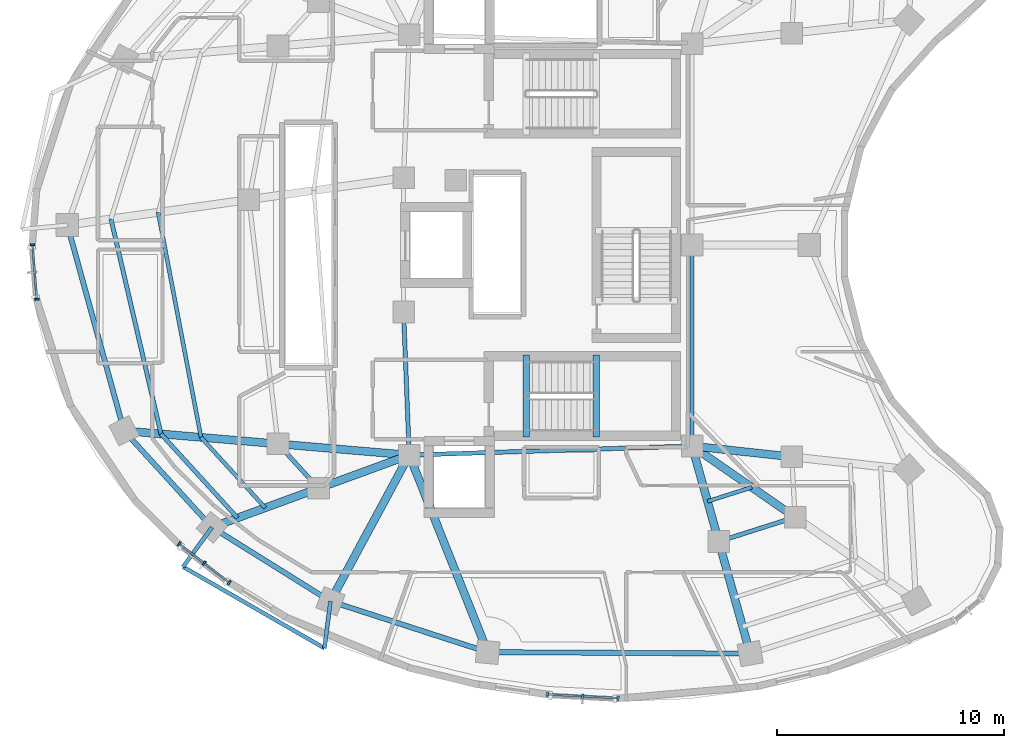
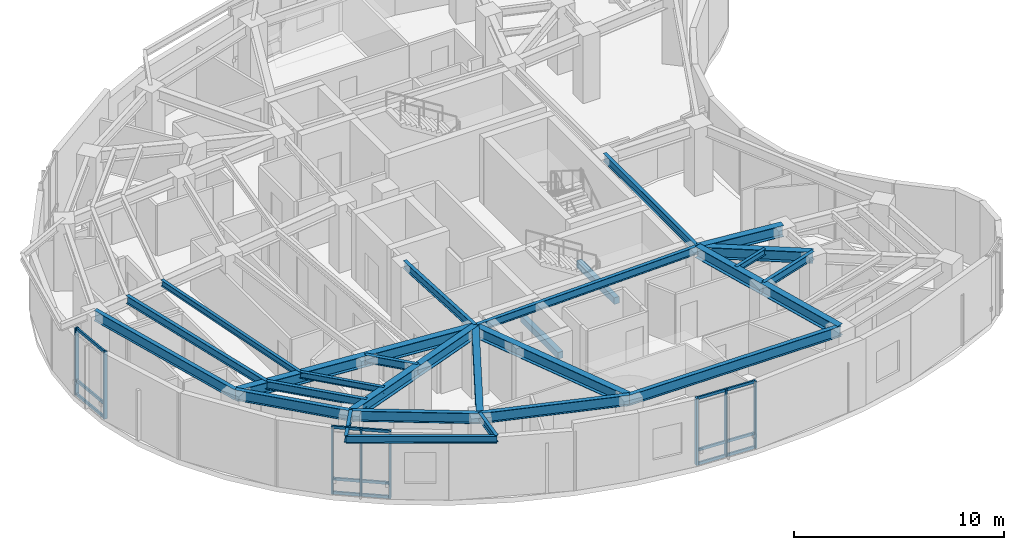
# One storey, part 2 of 13: 30 beams, 23 members, 3 elements without a shape of their own.
"""IFC4 building model written with IfcOpenShell, lengths in metres."""

from ifc_helpers import new_model, si_unit, direction, frame, origin, origin_2d, place, context, subcontext, project, spatial, rectangle, i_section, extrude, material, layer, layer_set, material_profile, profile_set, type_object, element, aggregate, save


model = new_model("IFC4")

# Units and contexts
model_context = context("Model", 3, precision=1e-05, world=origin(), true_north=direction((0.0, 1.0)))
body_context = subcontext(model_context, "Body", "Model", "MODEL_VIEW")
ifc_project = project(units=[si_unit("LENGTHUNIT", "METRE"), si_unit("AREAUNIT", "SQUARE_METRE"), si_unit("VOLUMEUNIT", "CUBIC_METRE"), si_unit("PLANEANGLEUNIT", "RADIAN"), si_unit("MASSUNIT", "GRAM", prefix="KILO")], contexts=[model_context])

# Site, building, storey
site_placement = place(None, origin())
site = spatial("IfcSite", under=ifc_project, at=site_placement, CompositionType="ELEMENT")
building_placement = place(site_placement, origin())
building = spatial("IfcBuilding", under=site, at=building_placement, Name="Korentha Bioscience Tower", CompositionType="ELEMENT")
storey_placement = place(building_placement, frame((0.0, 0.0, 200.39990234375)))
storey = spatial("IfcBuildingStorey", under=building, at=storey_placement, Name="L46", CompositionType="ELEMENT", Elevation=200.39990234375)

# Beams
ifc_material_1 = material(Name="Concrete C50", Category="concrete")
ifc_material_profile_1 = material_profile(ifc_material_1, rectangle(XDim=0.280029296875, YDim=0.3798828125, at=origin_2d()), Name="Concrete C50")
ifc_profile_set_1 = profile_set([ifc_material_profile_1], Name="Concrete C50 (ST-HB380)")
beam_type_1 = type_object("IfcBeamType", Name="Concrete Stair Header Beam RC 280x380", PredefinedType="BEAM", material=ifc_profile_set_1)
for number, where, z_axis, x_axis, name in (
    (1, (30.25, 18.550048828125, -0.18994140625), (0.0, 1.0, 0.0), (-1.0, 0.0, 0.0), "L46 ST-2 Concrete Stair Header Beam"),
    (2, (33.330078125, 18.550048828125, 1.91015625), (0.0, 1.0, 0.0), (-1.0, 0.0, 0.0), "L46 ST-2 Half-Landing Header Beam 1"),
):
    element("IfcBeam", number, at=place(storey_placement, frame(where, z_axis=z_axis, x_axis=x_axis)), inside=storey, type_object=beam_type_1, Name=name, PredefinedType="BEAM", context=body_context, shape_type="SweptSolid", body=[
        extrude(rectangle(XDim=0.280029296875, YDim=0.3798828125, at=origin_2d()), origin(), (0.0, 0.0, 1.0), 3.599853515625),
    ])
ifc_material_2 = material(Name="Steel S355", Category="steel")
ifc_material_profile_2 = material_profile(ifc_material_2, i_section(OverallWidth=0.18994140625, OverallDepth=0.45703125, WebThickness=0.009033203125, FlangeThickness=0.014404296875, at=origin_2d()), Name="Steel S355")
ifc_profile_set_2 = profile_set([ifc_material_profile_2], Name="Steel S355 (MB-460)")
beam_type_2 = type_object("IfcBeamType", Name="Mid-Ring Tie Girder W460x74", PredefinedType="BEAM", material=ifc_profile_set_2)
beam_1_placement = place(storey_placement, frame((19.32470703125, 18.242431640625, 3.671630859375), z_axis=(0.673513544519, -0.739174881438, 0.0), x_axis=(0.739174881438, 0.673513544519, 0.0)))
element("IfcBeam", 3, at=beam_1_placement, inside=storey, type_object=beam_type_2, Name="L46 Mid-Ring Tie Girder 08", PredefinedType="BEAM", context=body_context, shape_type="SweptSolid", body=[
    extrude(i_section(OverallWidth=0.18994140625, OverallDepth=0.45703125, WebThickness=0.009033203125, FlangeThickness=0.014404296875, at=origin_2d()), origin(), (0.0, 0.0, 1.0), 2.6435546875),
])
beam_2_placement = place(storey_placement, frame((38.72607421875, 13.947021484375, 3.671630859375), z_axis=(0.953017639844, 0.302914803446, 0.0), x_axis=(-0.302914803446, 0.953017639844, 0.0)))
element("IfcBeam", 4, at=beam_2_placement, inside=storey, type_object=beam_type_2, Name="L46 Mid-Ring Tie Girder 12", PredefinedType="BEAM", context=body_context, shape_type="SweptSolid", body=[
    extrude(i_section(OverallWidth=0.18994140625, OverallDepth=0.45703125, WebThickness=0.009033203125, FlangeThickness=0.014404296875, at=origin_2d()), origin(), (0.0, 0.0, 1.0), 3.523681640625),
])
beam_3_placement = place(storey_placement, frame((24.85009765625, 24.050048828125, 3.671630859375), z_axis=(0.039651025576, -0.999213588864, 0.0), x_axis=(0.999213588864, 0.039651025576, 0.0)))
element("IfcBeam", 5, at=beam_3_placement, inside=storey, type_object=beam_type_2, Name="L46 Core Ring Tie Girder 04", PredefinedType="BEAM", context=body_context, shape_type="SweptSolid", body=[
    extrude(i_section(OverallWidth=0.18994140625, OverallDepth=0.45703125, WebThickness=0.009033203125, FlangeThickness=0.014404296875, at=origin_2d()), origin(), (0.0, 0.0, 1.0), 6.304931640625),
])
beam_4_placement = place(storey_placement, frame((25.10009765625, 17.75, 3.671630859375), z_axis=(0.999484526071, 0.032104238723, 0.0), x_axis=(-0.032104238723, 0.999484526071, 0.0)))
element("IfcBeam", 6, at=beam_4_placement, inside=storey, type_object=beam_type_2, Name="L46 Core Ring Tie Girder 05", PredefinedType="BEAM", context=body_context, shape_type="SweptSolid", body=[
    extrude(i_section(OverallWidth=0.18994140625, OverallDepth=0.45703125, WebThickness=0.009033203125, FlangeThickness=0.014404296875, at=origin_2d()), origin(), (0.0, 0.0, 1.0), 12.456298828125),
])
beam_5_placement = place(storey_placement, frame((37.550048828125, 18.14990234375, 3.671630859375), z_axis=(0.0, 1.0, 0.0), x_axis=(-1.0, 0.0, 0.0)))
element("IfcBeam", 7, at=beam_5_placement, inside=storey, type_object=beam_type_2, Name="L46 Core Ring Tie Girder 06", PredefinedType="BEAM", context=body_context, shape_type="SweptSolid", body=[
    extrude(i_section(OverallWidth=0.18994140625, OverallDepth=0.45703125, WebThickness=0.009033203125, FlangeThickness=0.014404296875, at=origin_2d()), origin(), (0.0, 0.0, 1.0), 8.85009765625),
])

# Curtain wall, members
ifc_material_3 = material(Name="Thermally Broken Aluminium Frame", Category="aluminium")
ifc_layer = layer(ifc_material_3, 0.219970703125, Name="Thermally Broken Aluminium Frame")
ifc_layer_set = layer_set([ifc_layer], Name="Thermally Broken Aluminium Frame (CW-T2)")
curtain_wall_type = type_object("IfcCurtainWallType", Name="Solar-Screened Lab Unitised Curtain Wall CW-T2", PredefinedType="USERDEFINED", material=ifc_layer_set)
curtain_wall_1_placement = place(storey_placement, origin())
curtain_wall_1 = element("IfcCurtainWall", 8, at=curtain_wall_1_placement, inside=storey, type_object=curtain_wall_type, Name="L46 Curtain Wall 19", ObjectType="UNITISED", PredefinedType="USERDEFINED")
ifc_material_4 = material(Name="Anodised Aluminium 6063-T6", Category="aluminium")
ifc_material_profile_3 = material_profile(ifc_material_4, rectangle(XDim=0.090087890625, YDim=0.199951171875, at=origin_2d()), Name="Anodised Aluminium 6063-T6")
ifc_profile_set_3 = profile_set([ifc_material_profile_3], Name="Anodised Aluminium 6063-T6 (CW-MUL)")
member_type_1 = type_object("IfcMemberType", Name="Mullion RECT 90x200", PredefinedType="MULLION", material=ifc_profile_set_3)
member_1_placement = place(storey_placement, frame((8.518798828125, 27.007568359375, 0.0), z_axis=(0.0, 0.0, 1.0), x_axis=(0.077987717013, -0.996954319914, 0.0)))
member_1 = element("IfcMember", 9, at=member_1_placement, type_object=member_type_1, Name="CW-L46-19 Mullion 1", PredefinedType="MULLION", context=body_context, shape_type="SweptSolid", body=[
    extrude(rectangle(XDim=0.090087890625, YDim=0.199951171875, at=origin_2d()), origin(), (0.0, 0.0, 1.0), 3.900146484375),
])
member_2_placement = place(storey_placement, frame((8.70654296875, 24.605712890625, 0.0), z_axis=(0.0, 0.0, 1.0), x_axis=(0.077987717013, -0.996954319914, 0.0)))
member_2 = element("IfcMember", 10, at=member_2_placement, type_object=member_type_1, Name="CW-L46-19 Mullion 2", PredefinedType="MULLION", context=body_context, shape_type="SweptSolid", body=[
    extrude(rectangle(XDim=0.090087890625, YDim=0.199951171875, at=origin_2d()), origin(), (0.0, 0.0, 1.0), 3.900146484375),
])

curtain_wall_2_placement = place(storey_placement, origin())
curtain_wall_2 = element("IfcCurtainWall", 11, at=curtain_wall_2_placement, inside=storey, type_object=curtain_wall_type, Name="L46 Curtain Wall 25", ObjectType="UNITISED", PredefinedType="USERDEFINED")
member_3_placement = place(storey_placement, frame((14.97265625, 13.84375, 0.0), z_axis=(0.0, 0.0, 1.0), x_axis=(0.790346099854, -0.612660625833, 0.0)))
member_3 = element("IfcMember", 12, at=member_3_placement, type_object=member_type_1, Name="CW-L46-25 Mullion 1", PredefinedType="MULLION", context=body_context, shape_type="SweptSolid", body=[
    extrude(rectangle(XDim=0.090087890625, YDim=0.199951171875, at=origin_2d()), origin(), (0.0, 0.0, 1.0), 3.900146484375),
])
member_4_placement = place(storey_placement, frame((16.074951171875, 12.989501953125, 0.0), z_axis=(0.0, 0.0, 1.0), x_axis=(0.790346099854, -0.612660625833, 0.0)))
member_4 = element("IfcMember", 13, at=member_4_placement, type_object=member_type_1, Name="CW-L46-25 Mullion 2", PredefinedType="MULLION", context=body_context, shape_type="SweptSolid", body=[
    extrude(rectangle(XDim=0.090087890625, YDim=0.199951171875, at=origin_2d()), origin(), (0.0, 0.0, 1.0), 3.900146484375),
])
member_5_placement = place(storey_placement, frame((17.177001953125, 12.135009765625, 0.0), z_axis=(0.0, 0.0, 1.0), x_axis=(0.790346099854, -0.612660625833, 0.0)))
member_5 = element("IfcMember", 14, at=member_5_placement, type_object=member_type_1, Name="CW-L46-25 Mullion 3", PredefinedType="MULLION", context=body_context, shape_type="SweptSolid", body=[
    extrude(rectangle(XDim=0.090087890625, YDim=0.199951171875, at=origin_2d()), origin(), (0.0, 0.0, 1.0), 3.900146484375),
])

curtain_wall_3_placement = place(storey_placement, origin())
curtain_wall_3 = element("IfcCurtainWall", 15, at=curtain_wall_3_placement, inside=storey, type_object=curtain_wall_type, Name="L46 Curtain Wall 31", ObjectType="UNITISED", PredefinedType="USERDEFINED")
member_6_placement = place(storey_placement, frame((31.17529296875, 7.216796875, 0.0), z_axis=(0.0, 0.0, 1.0), x_axis=(0.998634603964, -0.052239140168, 0.0)))
member_6 = element("IfcMember", 16, at=member_6_placement, type_object=member_type_1, Name="CW-L46-31 Mullion 1", PredefinedType="MULLION", context=body_context, shape_type="SweptSolid", body=[
    extrude(rectangle(XDim=0.090087890625, YDim=0.199951171875, at=origin_2d()), origin(), (0.0, 0.0, 1.0), 3.900146484375),
])
member_7_placement = place(storey_placement, frame((32.737060546875, 7.135009765625, 0.0), z_axis=(0.0, 0.0, 1.0), x_axis=(0.998634603964, -0.052239140168, 0.0)))
member_7 = element("IfcMember", 17, at=member_7_placement, type_object=member_type_1, Name="CW-L46-31 Mullion 2", PredefinedType="MULLION", context=body_context, shape_type="SweptSolid", body=[
    extrude(rectangle(XDim=0.090087890625, YDim=0.199951171875, at=origin_2d()), origin(), (0.0, 0.0, 1.0), 3.900146484375),
])
member_8_placement = place(storey_placement, frame((34.299072265625, 7.053466796875, 0.0), z_axis=(0.0, 0.0, 1.0), x_axis=(0.998634603964, -0.052239140168, 0.0)))
member_8 = element("IfcMember", 18, at=member_8_placement, type_object=member_type_1, Name="CW-L46-31 Mullion 3", PredefinedType="MULLION", context=body_context, shape_type="SweptSolid", body=[
    extrude(rectangle(XDim=0.090087890625, YDim=0.199951171875, at=origin_2d()), origin(), (0.0, 0.0, 1.0), 3.900146484375),
])

# Beams
ifc_material_profile_4 = material_profile(ifc_material_2, i_section(OverallWidth=0.22802734375, OverallDepth=0.60791015625, WebThickness=0.01123046875, FlangeThickness=0.017333984375, at=origin_2d()), Name="Steel S355")
ifc_profile_set_4 = profile_set([ifc_material_profile_4], Name="Steel S355 (SB-610)")
beam_type_3 = type_object("IfcBeamType", Name="Perimeter Ring Spandrel Girder W610x113", PredefinedType="SPANDREL", material=ifc_profile_set_4)
beam_6_placement = place(storey_placement, frame((10.05224609375, 27.874267578125, 3.59619140625), z_axis=(0.265485778436, -0.964114776076, 0.0), x_axis=(0.964114776076, 0.265485778436, 0.0)))
element("IfcBeam", 19, at=beam_6_placement, inside=storey, type_object=beam_type_3, Name="L46 Perimeter Spandrel Girder 07", PredefinedType="SPANDREL", context=body_context, shape_type="SweptSolid", body=[
    extrude(i_section(OverallWidth=0.22802734375, OverallDepth=0.60791015625, WebThickness=0.01123046875, FlangeThickness=0.017333984375, at=origin_2d()), origin(), (0.0, 0.0, 1.0), 9.390869140625),
])
beam_7_placement = place(storey_placement, frame((12.54541015625, 18.8203125, 3.59619140625), z_axis=(0.673503408544, -0.739184116902, 0.0), x_axis=(0.739184116902, 0.673503408544, 0.0)))
element("IfcBeam", 20, at=beam_7_placement, inside=storey, type_object=beam_type_3, Name="L46 Perimeter Spandrel Girder 08", PredefinedType="SPANDREL", context=body_context, shape_type="SweptSolid", body=[
    extrude(i_section(OverallWidth=0.22802734375, OverallDepth=0.60791015625, WebThickness=0.01123046875, FlangeThickness=0.017333984375, at=origin_2d()), origin(), (0.0, 0.0, 1.0), 5.74658203125),
])
beam_8_placement = place(storey_placement, frame((16.415771484375, 14.572509765625, 3.59619140625), z_axis=(0.848274790748, -0.52955630426, 0.0), x_axis=(0.52955630426, 0.848274790748, 0.0)))
element("IfcBeam", 21, at=beam_8_placement, inside=storey, type_object=beam_type_3, Name="L46 Perimeter Spandrel Girder 09", PredefinedType="SPANDREL", context=body_context, shape_type="SweptSolid", body=[
    extrude(i_section(OverallWidth=0.22802734375, OverallDepth=0.60791015625, WebThickness=0.01123046875, FlangeThickness=0.017333984375, at=origin_2d()), origin(), (0.0, 0.0, 1.0), 6.148681640625),
])
beam_9_placement = place(storey_placement, frame((21.631591796875, 11.31640625, 3.59619140625), z_axis=(0.951425150124, -0.307880145042, 0.0), x_axis=(0.307880145042, 0.951425150124, 0.0)))
element("IfcBeam", 22, at=beam_9_placement, inside=storey, type_object=beam_type_3, Name="L46 Perimeter Spandrel Girder 10", PredefinedType="SPANDREL", context=body_context, shape_type="SweptSolid", body=[
    extrude(i_section(OverallWidth=0.22802734375, OverallDepth=0.60791015625, WebThickness=0.01123046875, FlangeThickness=0.017333984375, at=origin_2d()), origin(), (0.0, 0.0, 1.0), 7.275634765625),
])
beam_10_placement = place(storey_placement, frame((28.5537109375, 9.076416015625, 3.59619140625), z_axis=(0.999984906184, -0.005494306452, 0.0), x_axis=(0.005494306452, 0.999984906184, 0.0)))
element("IfcBeam", 23, at=beam_10_placement, inside=storey, type_object=beam_type_3, Name="L46 Perimeter Spandrel Girder 11", PredefinedType="SPANDREL", context=body_context, shape_type="SweptSolid", body=[
    extrude(i_section(OverallWidth=0.22802734375, OverallDepth=0.60791015625, WebThickness=0.01123046875, FlangeThickness=0.017333984375, at=origin_2d()), origin(), (0.0, 0.0, 1.0), 11.55322265625),
])
ifc_material_profile_5 = material_profile(ifc_material_2, i_section(OverallWidth=0.18994140625, OverallDepth=0.45703125, WebThickness=0.009033203125, FlangeThickness=0.014404296875, at=origin_2d()), Name="Steel S355")
ifc_profile_set_5 = profile_set([ifc_material_profile_5], Name="Steel S355 (RB-460)")
beam_type_4 = type_object("IfcBeamType", Name="Radial Laboratory Beam W460x74", PredefinedType="BEAM", material=ifc_profile_set_5)
beam_11_placement = place(storey_placement, frame((11.969970703125, 28.143310546875, 3.671630859375), z_axis=(0.226709214866, -0.973962489983, 0.0), x_axis=(0.973962489983, 0.226709214866, 0.0)))
element("IfcBeam", 24, at=beam_11_placement, inside=storey, type_object=beam_type_4, Name="L46 Secondary Floor Beam JSTO-07", PredefinedType="BEAM", context=body_context, shape_type="SweptSolid", body=[
    extrude(i_section(OverallWidth=0.18994140625, OverallDepth=0.45703125, WebThickness=0.009033203125, FlangeThickness=0.014404296875, at=origin_2d()), origin(), (0.0, 0.0, 1.0), 9.714599609375),
])
beam_12_placement = place(storey_placement, frame((14.17236328125, 18.681640625, 3.671630859375), z_axis=(0.67349592261, -0.739190937599, 0.0), x_axis=(0.739190937599, 0.67349592261, 0.0)))
element("IfcBeam", 25, at=beam_12_placement, inside=storey, type_object=beam_type_4, Name="L46 Secondary Floor Beam JSTO-08", PredefinedType="BEAM", context=body_context, shape_type="SweptSolid", body=[
    extrude(i_section(OverallWidth=0.18994140625, OverallDepth=0.45703125, WebThickness=0.009033203125, FlangeThickness=0.014404296875, at=origin_2d()), origin(), (0.0, 0.0, 1.0), 5.002197265625),
])
ifc_material_profile_6 = material_profile(ifc_material_2, i_section(OverallWidth=0.35009765625, OverallDepth=0.64990234375, WebThickness=0.01611328125, FlangeThickness=0.02490234375, at=origin_2d()), Name="Steel S355")
ifc_profile_set_6 = profile_set([ifc_material_profile_6], Name="Steel S355 (RB-650)")
beam_type_5 = type_object("IfcBeamType", Name="Radial Laboratory Girder CVS 650x208", PredefinedType="BEAM", material=ifc_profile_set_6)
beam_13_placement = place(storey_placement, frame((25.10009765625, 17.75, 3.5751953125), z_axis=(-0.996384743884, 0.084955530454, 0.0), x_axis=(-0.084955530454, -0.996384743884, 0.0)))
element("IfcBeam", 26, at=beam_13_placement, inside=storey, type_object=beam_type_5, Name="L46 Inner Radial Girder 08", PredefinedType="BEAM", context=body_context, shape_type="SweptSolid", body=[
    extrude(i_section(OverallWidth=0.35009765625, OverallDepth=0.64990234375, WebThickness=0.01611328125, FlangeThickness=0.02490234375, at=origin_2d()), origin(), (0.0, 0.0, 1.0), 5.79638671875),
])
beam_14_placement = place(storey_placement, frame((19.32470703125, 18.242431640625, 3.5751953125), z_axis=(-0.996386580267, 0.084933990042, 0.0), x_axis=(-0.084933990042, -0.996386580267, 0.0)))
element("IfcBeam", 27, at=beam_14_placement, inside=storey, type_object=beam_type_5, Name="L46 Outer Radial Girder 08", PredefinedType="BEAM", context=body_context, shape_type="SweptSolid", body=[
    extrude(i_section(OverallWidth=0.35009765625, OverallDepth=0.64990234375, WebThickness=0.01611328125, FlangeThickness=0.02490234375, at=origin_2d()), origin(), (0.0, 0.0, 1.0), 6.803955078125),
])
beam_15_placement = place(storey_placement, frame((25.10009765625, 17.75, 3.5751953125), z_axis=(-0.939112914942, -0.343608691668, 0.0), x_axis=(0.343608691668, -0.939112914942, 0.0)))
element("IfcBeam", 28, at=beam_15_placement, inside=storey, type_object=beam_type_5, Name="L46 Inner Radial Girder 09", PredefinedType="BEAM", context=body_context, shape_type="SweptSolid", body=[
    extrude(i_section(OverallWidth=0.35009765625, OverallDepth=0.64990234375, WebThickness=0.01611328125, FlangeThickness=0.02490234375, at=origin_2d()), origin(), (0.0, 0.0, 1.0), 4.25390625),
])
beam_16_placement = place(storey_placement, frame((21.105224609375, 16.288330078125, 3.5751953125), z_axis=(-0.939112078038, -0.343610978991, 0.0), x_axis=(0.343610978991, -0.939112078038, 0.0)))
element("IfcBeam", 29, at=beam_16_placement, inside=storey, type_object=beam_type_5, Name="L46 Outer Radial Girder 09", PredefinedType="BEAM", context=body_context, shape_type="SweptSolid", body=[
    extrude(i_section(OverallWidth=0.35009765625, OverallDepth=0.64990234375, WebThickness=0.01611328125, FlangeThickness=0.02490234375, at=origin_2d()), origin(), (0.0, 0.0, 1.0), 4.993408203125),
])
beam_17_placement = place(storey_placement, frame((25.10009765625, 17.75, 3.5751953125), z_axis=(-0.47455192253, -0.880227511967, 0.0), x_axis=(0.880227511967, -0.47455192253, 0.0)))
element("IfcBeam", 30, at=beam_17_placement, inside=storey, type_object=beam_type_5, Name="L46 Radial Girder 10", PredefinedType="BEAM", context=body_context, shape_type="SweptSolid", body=[
    extrude(i_section(OverallWidth=0.35009765625, OverallDepth=0.64990234375, WebThickness=0.01611328125, FlangeThickness=0.02490234375, at=origin_2d()), origin(), (0.0, 0.0, 1.0), 7.30908203125),
])
beam_18_placement = place(storey_placement, frame((25.10009765625, 17.75, 3.5751953125), z_axis=(0.369929378235, -0.929059877036, 0.0), x_axis=(0.929059877036, 0.369929378235, 0.0)))
element("IfcBeam", 31, at=beam_18_placement, inside=storey, type_object=beam_type_5, Name="L46 Radial Girder 11", PredefinedType="BEAM", context=body_context, shape_type="SweptSolid", body=[
    extrude(i_section(OverallWidth=0.35009765625, OverallDepth=0.64990234375, WebThickness=0.01611328125, FlangeThickness=0.02490234375, at=origin_2d()), origin(), (0.0, 0.0, 1.0), 9.3359375),
])
beam_19_placement = place(storey_placement, frame((37.550048828125, 18.14990234375, 3.5751953125), z_axis=(0.269463926865, -0.963010483909, 0.0), x_axis=(0.963010483909, 0.269463926865, 0.0)))
element("IfcBeam", 32, at=beam_19_placement, inside=storey, type_object=beam_type_5, Name="L46 Inner Radial Girder 12", PredefinedType="BEAM", context=body_context, shape_type="SweptSolid", body=[
    extrude(i_section(OverallWidth=0.35009765625, OverallDepth=0.64990234375, WebThickness=0.01611328125, FlangeThickness=0.02490234375, at=origin_2d()), origin(), (0.0, 0.0, 1.0), 4.3642578125),
])
beam_20_placement = place(storey_placement, frame((38.72607421875, 13.947021484375, 3.5751953125), z_axis=(0.269462014476, -0.96301101902, 0.0), x_axis=(0.96301101902, 0.269462014476, 0.0)))
element("IfcBeam", 33, at=beam_20_placement, inside=storey, type_object=beam_type_5, Name="L46 Outer Radial Girder 12", PredefinedType="BEAM", context=body_context, shape_type="SweptSolid", body=[
    extrude(i_section(OverallWidth=0.35009765625, OverallDepth=0.64990234375, WebThickness=0.01611328125, FlangeThickness=0.02490234375, at=origin_2d()), origin(), (0.0, 0.0, 1.0), 5.12353515625),
])
beam_21_placement = place(storey_placement, frame((37.550048828125, 18.14990234375, 3.5751953125), z_axis=(0.822493403442, -0.568774648956, 0.0), x_axis=(0.568774648956, 0.822493403442, 0.0)))
element("IfcBeam", 34, at=beam_21_placement, inside=storey, type_object=beam_type_5, Name="L46 Inner Radial Girder 13", PredefinedType="BEAM", context=body_context, shape_type="SweptSolid", body=[
    extrude(i_section(OverallWidth=0.35009765625, OverallDepth=0.64990234375, WebThickness=0.01611328125, FlangeThickness=0.02490234375, at=origin_2d()), origin(), (0.0, 0.0, 1.0), 5.5126953125),
])
beam_22_placement = place(storey_placement, frame((37.550048828125, 18.14990234375, 3.5751953125), z_axis=(0.99412286891, -0.108257662593, 0.0), x_axis=(0.108257662593, 0.99412286891, 0.0)))
element("IfcBeam", 35, at=beam_22_placement, inside=storey, type_object=beam_type_5, Name="L46 Inner Radial Girder 14", PredefinedType="BEAM", context=body_context, shape_type="SweptSolid", body=[
    extrude(i_section(OverallWidth=0.35009765625, OverallDepth=0.64990234375, WebThickness=0.01611328125, FlangeThickness=0.02490234375, at=origin_2d()), origin(), (0.0, 0.0, 1.0), 4.413330078125),
])
ifc_material_profile_7 = material_profile(ifc_material_2, i_section(OverallWidth=0.1708984375, OverallDepth=0.35498046875, WebThickness=0.007080078125, FlangeThickness=0.01171875, at=origin_2d()), Name="Steel S355")
ifc_profile_set_7 = profile_set([ifc_material_profile_7], Name="Steel S355 (JB-360)")
beam_type_6 = type_object("IfcBeamType", Name="Secondary Laboratory Joist W360x51", PredefinedType="JOIST", material=ifc_profile_set_7)
beam_23_placement = place(storey_placement, frame((14.047607421875, 28.4345703125, 3.72265625), z_axis=(0.187222275898, -0.982317575638, 0.0), x_axis=(0.982317575638, 0.187222275898, 0.0)))
element("IfcBeam", 36, at=beam_23_placement, inside=storey, type_object=beam_type_6, Name="L46 Secondary Floor Beam JST-07", PredefinedType="JOIST", context=body_context, shape_type="SweptSolid", body=[
    extrude(i_section(OverallWidth=0.1708984375, OverallDepth=0.35498046875, WebThickness=0.007080078125, FlangeThickness=0.01171875, at=origin_2d()), origin(), (0.0, 0.0, 1.0), 10.081298828125),
])
beam_24_placement = place(storey_placement, frame((15.93505859375, 18.531494140625, 3.72265625), z_axis=(0.673492116079, -0.739194405809, 0.0), x_axis=(0.739194405809, 0.673492116079, 0.0)))
element("IfcBeam", 37, at=beam_24_placement, inside=storey, type_object=beam_type_6, Name="L46 Secondary Floor Beam JST-08", PredefinedType="JOIST", context=body_context, shape_type="SweptSolid", body=[
    extrude(i_section(OverallWidth=0.1708984375, OverallDepth=0.35498046875, WebThickness=0.007080078125, FlangeThickness=0.01171875, at=origin_2d()), origin(), (0.0, 0.0, 1.0), 4.1953125),
])
beam_25_placement = place(storey_placement, frame((38.232177734375, 15.71240234375, 3.72265625), z_axis=(0.953033984423, 0.30286337602, 0.0), x_axis=(-0.30286337602, 0.953033984423, 0.0)))
element("IfcBeam", 38, at=beam_25_placement, inside=storey, type_object=beam_type_6, Name="L46 Inner Bay Joist 12", PredefinedType="JOIST", context=body_context, shape_type="SweptSolid", body=[
    extrude(i_section(OverallWidth=0.1708984375, OverallDepth=0.35498046875, WebThickness=0.007080078125, FlangeThickness=0.01171875, at=origin_2d()), origin(), (0.0, 0.0, 1.0), 2.04345703125),
])
ifc_material_profile_8 = material_profile(ifc_material_2, i_section(OverallWidth=0.177978515625, OverallDepth=0.406982421875, WebThickness=0.0078125, FlangeThickness=0.0126953125, at=origin_2d()), Name="Steel S355")
ifc_profile_set_8 = profile_set([ifc_material_profile_8], Name="Steel S355 (CB-410)")
beam_type_7 = type_object("IfcBeamType", Name="Sun-Ledge Cantilever Beam W410x60", PredefinedType="BEAM", material=ifc_profile_set_8)
beam_26_placement = place(storey_placement, frame((16.415771484375, 14.572509765625, 3.698486328125), z_axis=(-0.589928527977, -0.807455467427, 0.0), x_axis=(0.807455467427, -0.589928527977, 0.0)))
element("IfcBeam", 39, at=beam_26_placement, inside=storey, type_object=beam_type_7, Name="L46 Balcony Cantilever Bracket A-L47-03", PredefinedType="BEAM", context=body_context, shape_type="SweptSolid", body=[
    extrude(i_section(OverallWidth=0.177978515625, OverallDepth=0.406982421875, WebThickness=0.0078125, FlangeThickness=0.0126953125, at=origin_2d()), origin(), (0.0, 0.0, 1.0), 2.15478515625),
])
beam_27_placement = place(storey_placement, frame((21.631591796875, 11.31640625, 3.698486328125), z_axis=(-0.126445255623, -0.991973587013, 0.0), x_axis=(0.991973587013, -0.126445255623, 0.0)))
element("IfcBeam", 40, at=beam_27_placement, inside=storey, type_object=beam_type_7, Name="L46 Balcony Cantilever Bracket B-L47-03", PredefinedType="BEAM", context=body_context, shape_type="SweptSolid", body=[
    extrude(i_section(OverallWidth=0.177978515625, OverallDepth=0.406982421875, WebThickness=0.0078125, FlangeThickness=0.0126953125, at=origin_2d()), origin(), (0.0, 0.0, 1.0), 2.081298828125),
])
beam_28_placement = place(storey_placement, frame((15.14453125, 12.83251953125, 3.698486328125), z_axis=(0.866781020709, -0.498688943268, 0.0), x_axis=(0.498688943268, 0.866781020709, 0.0)))
element("IfcBeam", 41, at=beam_28_placement, inside=storey, type_object=beam_type_7, Name="L46 Balcony Edge Trimmer Beam L47-03", PredefinedType="BEAM", context=body_context, shape_type="SweptSolid", body=[
    extrude(i_section(OverallWidth=0.177978515625, OverallDepth=0.406982421875, WebThickness=0.0078125, FlangeThickness=0.0126953125, at=origin_2d()), origin(), (0.0, 0.0, 1.0), 7.180419921875),
])

# Member
ifc_material_profile_9 = material_profile(ifc_material_4, rectangle(XDim=0.090087890625, YDim=0.159912109375, at=origin_2d()), Name="Anodised Aluminium 6063-T6")
ifc_profile_set_9 = profile_set([ifc_material_profile_9], Name="Anodised Aluminium 6063-T6 (CW-TRN)")
member_type_2 = type_object("IfcMemberType", Name="Transom RECT 90x160", PredefinedType="USERDEFINED", material=ifc_profile_set_9)
member_9_placement = place(storey_placement, frame((8.522216796875, 26.962646484375, 0.045166015625), z_axis=(0.078008652309, -0.996952682009, 0.0), x_axis=(0.996952682009, 0.078008652309, 0.0)))
member_9 = element("IfcMember", 42, at=member_9_placement, type_object=member_type_2, Name="CW-L46-19 Bay 1 Transom 1", ObjectType="TRANSOM", PredefinedType="USERDEFINED", context=body_context, shape_type="SweptSolid", body=[
    extrude(rectangle(XDim=0.090087890625, YDim=0.159912109375, at=origin_2d()), origin(), (0.0, 0.0, 1.0), 2.319091796875),
])

member_10_placement = place(storey_placement, frame((8.522216796875, 26.962646484375, 0.85009765625), z_axis=(0.078008652309, -0.996952682009, 0.0), x_axis=(0.996952682009, 0.078008652309, 0.0)))
member_10 = element("IfcMember", 43, at=member_10_placement, type_object=member_type_2, Name="CW-L46-19 Bay 1 Transom 2", ObjectType="TRANSOM", PredefinedType="USERDEFINED", context=body_context, shape_type="SweptSolid", body=[
    extrude(rectangle(XDim=0.090087890625, YDim=0.159912109375, at=origin_2d()), origin(), (0.0, 0.0, 1.0), 2.319091796875),
])

member_11_placement = place(storey_placement, frame((8.522216796875, 26.962646484375, 3.85498046875), z_axis=(0.078008652309, -0.996952682009, 0.0), x_axis=(0.996952682009, 0.078008652309, 0.0)))
member_11 = element("IfcMember", 44, at=member_11_placement, type_object=member_type_2, Name="CW-L46-19 Bay 1 Transom 3", ObjectType="TRANSOM", PredefinedType="USERDEFINED", context=body_context, shape_type="SweptSolid", body=[
    extrude(rectangle(XDim=0.090087890625, YDim=0.159912109375, at=origin_2d()), origin(), (0.0, 0.0, 1.0), 2.319091796875),
])

aggregate(curtain_wall_1, [member_1, member_2, member_9, member_10, member_11])

member_12_placement = place(storey_placement, frame((15.00830078125, 13.81640625, 0.045166015625), z_axis=(0.790308570646, -0.6127090363, 0.0), x_axis=(0.6127090363, 0.790308570646, 0.0)))
member_12 = element("IfcMember", 45, at=member_12_placement, type_object=member_type_2, Name="CW-L46-25 Bay 1 Transom 1", ObjectType="TRANSOM", PredefinedType="USERDEFINED", context=body_context, shape_type="SweptSolid", body=[
    extrude(rectangle(XDim=0.090087890625, YDim=0.159912109375, at=origin_2d()), origin(), (0.0, 0.0, 1.0), 1.304443359375),
])

member_13_placement = place(storey_placement, frame((15.00830078125, 13.81640625, 0.85009765625), z_axis=(0.790308570646, -0.6127090363, 0.0), x_axis=(0.6127090363, 0.790308570646, 0.0)))
member_13 = element("IfcMember", 46, at=member_13_placement, type_object=member_type_2, Name="CW-L46-25 Bay 1 Transom 2", ObjectType="TRANSOM", PredefinedType="USERDEFINED", context=body_context, shape_type="SweptSolid", body=[
    extrude(rectangle(XDim=0.090087890625, YDim=0.159912109375, at=origin_2d()), origin(), (0.0, 0.0, 1.0), 1.304443359375),
])

member_14_placement = place(storey_placement, frame((15.00830078125, 13.81640625, 3.85498046875), z_axis=(0.790308570646, -0.6127090363, 0.0), x_axis=(0.6127090363, 0.790308570646, 0.0)))
member_14 = element("IfcMember", 47, at=member_14_placement, type_object=member_type_2, Name="CW-L46-25 Bay 1 Transom 3", ObjectType="TRANSOM", PredefinedType="USERDEFINED", context=body_context, shape_type="SweptSolid", body=[
    extrude(rectangle(XDim=0.090087890625, YDim=0.159912109375, at=origin_2d()), origin(), (0.0, 0.0, 1.0), 1.304443359375),
])

member_15_placement = place(storey_placement, frame((16.110595703125, 12.9619140625, 0.045166015625), z_axis=(0.790308570646, -0.6127090363, 0.0), x_axis=(0.6127090363, 0.790308570646, 0.0)))
member_15 = element("IfcMember", 48, at=member_15_placement, type_object=member_type_2, Name="CW-L46-25 Bay 2 Transom 1", ObjectType="TRANSOM", PredefinedType="USERDEFINED", context=body_context, shape_type="SweptSolid", body=[
    extrude(rectangle(XDim=0.090087890625, YDim=0.159912109375, at=origin_2d()), origin(), (0.0, 0.0, 1.0), 1.304443359375),
])

member_16_placement = place(storey_placement, frame((16.110595703125, 12.9619140625, 0.85009765625), z_axis=(0.790308570646, -0.6127090363, 0.0), x_axis=(0.6127090363, 0.790308570646, 0.0)))
member_16 = element("IfcMember", 49, at=member_16_placement, type_object=member_type_2, Name="CW-L46-25 Bay 2 Transom 2", ObjectType="TRANSOM", PredefinedType="USERDEFINED", context=body_context, shape_type="SweptSolid", body=[
    extrude(rectangle(XDim=0.090087890625, YDim=0.159912109375, at=origin_2d()), origin(), (0.0, 0.0, 1.0), 1.304443359375),
])

member_17_placement = place(storey_placement, frame((16.110595703125, 12.9619140625, 3.85498046875), z_axis=(0.790308570646, -0.6127090363, 0.0), x_axis=(0.6127090363, 0.790308570646, 0.0)))
member_17 = element("IfcMember", 50, at=member_17_placement, type_object=member_type_2, Name="CW-L46-25 Bay 2 Transom 3", ObjectType="TRANSOM", PredefinedType="USERDEFINED", context=body_context, shape_type="SweptSolid", body=[
    extrude(rectangle(XDim=0.090087890625, YDim=0.159912109375, at=origin_2d()), origin(), (0.0, 0.0, 1.0), 1.304443359375),
])

aggregate(curtain_wall_2, [member_3, member_4, member_5, member_12, member_13, member_14, member_15, member_16, member_17])

member_18_placement = place(storey_placement, frame((31.22021484375, 7.214599609375, 0.045166015625), z_axis=(0.998629244744, -0.05234148969, 0.0), x_axis=(0.05234148969, 0.998629244744, 0.0)))
member_18 = element("IfcMember", 51, at=member_18_placement, type_object=member_type_2, Name="CW-L46-31 Bay 1 Transom 1", ObjectType="TRANSOM", PredefinedType="USERDEFINED", context=body_context, shape_type="SweptSolid", body=[
    extrude(rectangle(XDim=0.090087890625, YDim=0.159912109375, at=origin_2d()), origin(), (0.0, 0.0, 1.0), 1.473876953125),
])

member_19_placement = place(storey_placement, frame((31.22021484375, 7.214599609375, 0.85009765625), z_axis=(0.998629244744, -0.05234148969, 0.0), x_axis=(0.05234148969, 0.998629244744, 0.0)))
member_19 = element("IfcMember", 52, at=member_19_placement, type_object=member_type_2, Name="CW-L46-31 Bay 1 Transom 2", ObjectType="TRANSOM", PredefinedType="USERDEFINED", context=body_context, shape_type="SweptSolid", body=[
    extrude(rectangle(XDim=0.090087890625, YDim=0.159912109375, at=origin_2d()), origin(), (0.0, 0.0, 1.0), 1.473876953125),
])

member_20_placement = place(storey_placement, frame((31.22021484375, 7.214599609375, 3.85498046875), z_axis=(0.998629244744, -0.05234148969, 0.0), x_axis=(0.05234148969, 0.998629244744, 0.0)))
member_20 = element("IfcMember", 53, at=member_20_placement, type_object=member_type_2, Name="CW-L46-31 Bay 1 Transom 3", ObjectType="TRANSOM", PredefinedType="USERDEFINED", context=body_context, shape_type="SweptSolid", body=[
    extrude(rectangle(XDim=0.090087890625, YDim=0.159912109375, at=origin_2d()), origin(), (0.0, 0.0, 1.0), 1.473876953125),
])

member_21_placement = place(storey_placement, frame((32.781982421875, 7.1328125, 0.045166015625), z_axis=(0.998637888993, -0.052176303704, 0.0), x_axis=(0.052176303704, 0.998637888993, 0.0)))
member_21 = element("IfcMember", 54, at=member_21_placement, type_object=member_type_2, Name="CW-L46-31 Bay 2 Transom 1", ObjectType="TRANSOM", PredefinedType="USERDEFINED", context=body_context, shape_type="SweptSolid", body=[
    extrude(rectangle(XDim=0.090087890625, YDim=0.159912109375, at=origin_2d()), origin(), (0.0, 0.0, 1.0), 1.473876953125),
])

member_22_placement = place(storey_placement, frame((32.781982421875, 7.1328125, 0.85009765625), z_axis=(0.998637888993, -0.052176303704, 0.0), x_axis=(0.052176303704, 0.998637888993, 0.0)))
member_22 = element("IfcMember", 55, at=member_22_placement, type_object=member_type_2, Name="CW-L46-31 Bay 2 Transom 2", ObjectType="TRANSOM", PredefinedType="USERDEFINED", context=body_context, shape_type="SweptSolid", body=[
    extrude(rectangle(XDim=0.090087890625, YDim=0.159912109375, at=origin_2d()), origin(), (0.0, 0.0, 1.0), 1.473876953125),
])

member_23_placement = place(storey_placement, frame((32.781982421875, 7.1328125, 3.85498046875), z_axis=(0.998637888993, -0.052176303704, 0.0), x_axis=(0.052176303704, 0.998637888993, 0.0)))
member_23 = element("IfcMember", 56, at=member_23_placement, type_object=member_type_2, Name="CW-L46-31 Bay 2 Transom 3", ObjectType="TRANSOM", PredefinedType="USERDEFINED", context=body_context, shape_type="SweptSolid", body=[
    extrude(rectangle(XDim=0.090087890625, YDim=0.159912109375, at=origin_2d()), origin(), (0.0, 0.0, 1.0), 1.473876953125),
])

aggregate(curtain_wall_3, [member_6, member_7, member_8, member_18, member_19, member_20, member_21, member_22, member_23])

save(model, "model.ifc")
